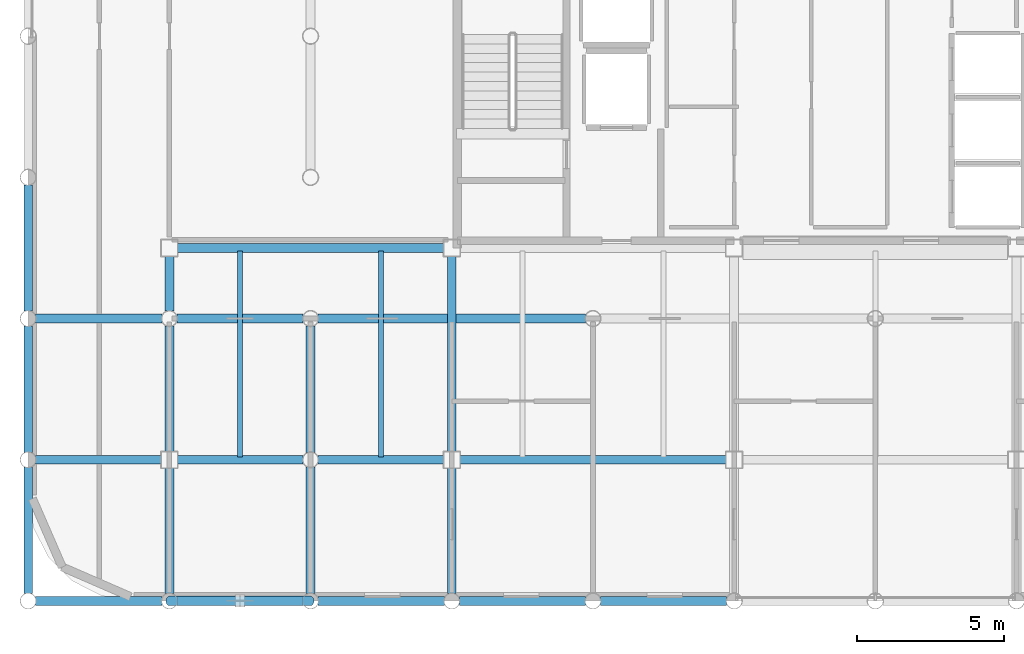
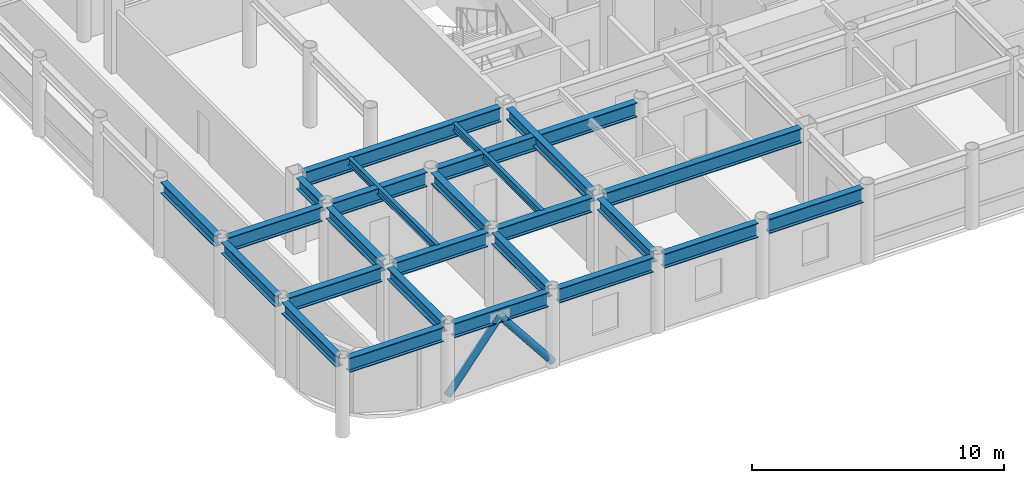
# One storey, part 3 of 23: 25 beams, 2 members.
"""IFC4 building model written with IfcOpenShell, lengths in metres."""

from ifc_helpers import new_model, si_unit, direction, frame, origin, origin_2d, place, context, subcontext, project, spatial, hollow_circle, i_section, extrude, material, material_profile, profile_set, type_object, element, save


model = new_model("IFC4")

# Units and contexts
model_context = context("Model", 3, precision=1e-05, world=origin(), true_north=direction((0.0, 1.0)))
body_context = subcontext(model_context, "Body", "Model", "MODEL_VIEW")
ifc_project = project(units=[si_unit("LENGTHUNIT", "METRE"), si_unit("AREAUNIT", "SQUARE_METRE"), si_unit("VOLUMEUNIT", "CUBIC_METRE"), si_unit("PLANEANGLEUNIT", "RADIAN"), si_unit("MASSUNIT", "GRAM", prefix="KILO")], contexts=[model_context])

# Site, building, storey
site_placement = place(None, origin())
site = spatial("IfcSite", under=ifc_project, at=site_placement, CompositionType="ELEMENT")
building_placement = place(site_placement, origin())
building = spatial("IfcBuilding", under=site, at=building_placement, Name="Kallvorn Hotel Tower", CompositionType="ELEMENT")
storey_placement = place(building_placement, frame((0.0, 0.0, 237.699951171875)))
storey = spatial("IfcBuildingStorey", under=building, at=storey_placement, Name="L59", CompositionType="ELEMENT", Elevation=237.699951171875)

# Beams
ifc_material_1 = material(Name="Structural steel S355JR", Category="steel")
ifc_material_profile_1 = material_profile(ifc_material_1, i_section(OverallWidth=0.300048828125, OverallDepth=0.550048828125, WebThickness=0.014892578125, FlangeThickness=0.029052734375, at=origin_2d()), Name="HE 550 B")
ifc_profile_set_1 = profile_set([ifc_material_profile_1], Name="Structural steel S355JR")
beam_type_1 = type_object("IfcBeamType", Name="BM_HE550B", PredefinedType="SPANDREL", material=ifc_profile_set_1)
for number, where, z_axis, x_axis, name in (
    (1, (-28.800048828125, -18.945556640625, 3.39501953125), (0.0, 1.0, 0.0), (-1.0, 0.0, 0.0), "L60 Primary Y-Girder 73"),
    (2, (-28.800048828125, -14.1455078125, 3.39501953125), (0.0, 1.0, 0.0), (-1.0, 0.0, 0.0), "L60 Primary Y-Girder 74"),
    (3, (-28.800048828125, -9.345458984375, 3.39501953125), (0.0, 1.0, 0.0), (-1.0, 0.0, 0.0), "L60 Primary Y-Girder 75"),
):
    element("IfcBeam", number, at=place(storey_placement, frame(where, z_axis=z_axis, x_axis=x_axis)), inside=storey, type_object=beam_type_1, Name=name, PredefinedType="SPANDREL", context=body_context, shape_type="SweptSolid", body=[
        extrude(i_section(OverallWidth=0.300048828125, OverallDepth=0.550048828125, WebThickness=0.014892578125, FlangeThickness=0.029052734375, at=origin_2d()), origin(), (0.0, 0.0, 1.0), 4.291015625),
    ])
for number, where, z_axis, x_axis, name in (
    (4, (-24.0, -18.945556640625, 3.39501953125), (0.0, 1.0, 0.0), (-1.0, 0.0, 0.0), "L60 Primary Y-Girder 81"),
    (5, (-24.0, -14.125, 3.39501953125), (0.0, 1.0, 0.0), (-1.0, 0.0, 0.0), "L60 Primary Y-Girder 82"),
):
    element("IfcBeam", number, at=place(storey_placement, frame(where, z_axis=z_axis, x_axis=x_axis)), inside=storey, type_object=beam_type_1, Name=name, PredefinedType="SPANDREL", context=body_context, shape_type="SweptSolid", body=[
        extrude(i_section(OverallWidth=0.300048828125, OverallDepth=0.550048828125, WebThickness=0.014892578125, FlangeThickness=0.029052734375, at=origin_2d()), origin(), (0.0, 0.0, 1.0), 4.2705078125),
    ])
beam_1_placement = place(storey_placement, frame((-24.0, -9.345458984375, 3.39501953125), z_axis=(0.0, 1.0, 0.0), x_axis=(-1.0, 0.0, 0.0)))
element("IfcBeam", 6, at=beam_1_placement, inside=storey, type_object=beam_type_1, Name="L60 Primary Y-Girder 83", PredefinedType="SPANDREL", context=body_context, shape_type="SweptSolid", body=[
    extrude(i_section(OverallWidth=0.300048828125, OverallDepth=0.550048828125, WebThickness=0.014892578125, FlangeThickness=0.029052734375, at=origin_2d()), origin(), (0.0, 0.0, 1.0), 1.870361328125),
])
for number, where, z_axis, x_axis, name in (
    (7, (-19.199951171875, -18.945556640625, 3.39501953125), (0.0, 1.0, 0.0), (-1.0, 0.0, 0.0), "L60 Primary Y-Girder 88"),
    (8, (-19.199951171875, -14.1455078125, 3.39501953125), (0.0, 1.0, 0.0), (-1.0, 0.0, 0.0), "L60 Primary Y-Girder 89"),
):
    element("IfcBeam", number, at=place(storey_placement, frame(where, z_axis=z_axis, x_axis=x_axis)), inside=storey, type_object=beam_type_1, Name=name, PredefinedType="SPANDREL", context=body_context, shape_type="SweptSolid", body=[
        extrude(i_section(OverallWidth=0.300048828125, OverallDepth=0.550048828125, WebThickness=0.014892578125, FlangeThickness=0.029052734375, at=origin_2d()), origin(), (0.0, 0.0, 1.0), 4.291015625),
    ])
beam_2_placement = place(storey_placement, frame((-14.39990234375, -18.945556640625, 3.39501953125), z_axis=(0.0, 1.0, 0.0), x_axis=(-1.0, 0.0, 0.0)))
element("IfcBeam", 9, at=beam_2_placement, inside=storey, type_object=beam_type_1, Name="L60 Primary Y-Girder 97", PredefinedType="SPANDREL", context=body_context, shape_type="SweptSolid", body=[
    extrude(i_section(OverallWidth=0.300048828125, OverallDepth=0.550048828125, WebThickness=0.014892578125, FlangeThickness=0.029052734375, at=origin_2d()), origin(), (0.0, 0.0, 1.0), 4.2705078125),
])
beam_3_placement = place(storey_placement, frame((-14.39990234375, -14.125, 3.39501953125), z_axis=(0.0, 1.0, 0.0), x_axis=(-1.0, 0.0, 0.0)))
element("IfcBeam", 10, at=beam_3_placement, inside=storey, type_object=beam_type_1, Name="L60 Primary Y-Girder 98", PredefinedType="SPANDREL", context=body_context, shape_type="SweptSolid", body=[
    extrude(i_section(OverallWidth=0.300048828125, OverallDepth=0.550048828125, WebThickness=0.014892578125, FlangeThickness=0.029052734375, at=origin_2d()), origin(), (0.0, 0.0, 1.0), 6.64990234375),
])
ifc_material_2 = material(Name="Structural steel S355JR", Category="steel")
ifc_material_profile_2 = material_profile(ifc_material_2, i_section(OverallWidth=0.300048828125, OverallDepth=0.699951171875, WebThickness=0.01708984375, FlangeThickness=0.031982421875, at=origin_2d()), Name="HE 700 B")
ifc_profile_set_2 = profile_set([ifc_material_profile_2], Name="Structural steel S355JR")
beam_type_2 = type_object("IfcBeamType", Name="BM_HE700B", PredefinedType="BEAM", material=ifc_profile_set_2)
for number, where, z_axis, x_axis, name in (
    (11, (-28.54541015625, -19.199951171875, 3.320068359375), (1.0, 0.0, 0.0), (0.0, 1.0, 0.0), "L60 Primary X-Girder 01"),
    (12, (-23.74560546875, -19.199951171875, 3.320068359375), (1.0, 0.0, 0.0), (0.0, 1.0, 0.0), "L60 Primary X-Girder 02"),
    (13, (-18.945556640625, -19.199951171875, 3.320068359375), (1.0, 0.0, 0.0), (0.0, 1.0, 0.0), "L60 Primary X-Girder 03"),
    (14, (-14.1455078125, -19.199951171875, 3.320068359375), (1.0, 0.0, 0.0), (0.0, 1.0, 0.0), "L60 Primary X-Girder 04"),
    (15, (-9.345458984375, -19.199951171875, 3.320068359375), (1.0, 0.0, 0.0), (0.0, 1.0, 0.0), "L60 Primary X-Girder 05"),
):
    element("IfcBeam", number, at=place(storey_placement, frame(where, z_axis=z_axis, x_axis=x_axis)), inside=storey, type_object=beam_type_2, Name=name, PredefinedType="BEAM", context=body_context, shape_type="SweptSolid", body=[
        extrude(i_section(OverallWidth=0.300048828125, OverallDepth=0.699951171875, WebThickness=0.01708984375, FlangeThickness=0.031982421875, at=origin_2d()), origin(), (0.0, 0.0, 1.0), 4.291015625),
    ])
for number, where, z_axis, x_axis, name in (
    (16, (-28.54541015625, -14.39990234375, 3.320068359375), (1.0, 0.0, 0.0), (0.0, 1.0, 0.0), "L60 Primary X-Girder 13"),
    (17, (-23.72509765625, -14.39990234375, 3.320068359375), (1.0, 0.0, 0.0), (0.0, 1.0, 0.0), "L60 Primary X-Girder 14"),
    (18, (-18.945556640625, -14.39990234375, 3.320068359375), (1.0, 0.0, 0.0), (0.0, 1.0, 0.0), "L60 Primary X-Girder 15"),
):
    element("IfcBeam", number, at=place(storey_placement, frame(where, z_axis=z_axis, x_axis=x_axis)), inside=storey, type_object=beam_type_2, Name=name, PredefinedType="BEAM", context=body_context, shape_type="SweptSolid", body=[
        extrude(i_section(OverallWidth=0.300048828125, OverallDepth=0.699951171875, WebThickness=0.01708984375, FlangeThickness=0.031982421875, at=origin_2d()), origin(), (0.0, 0.0, 1.0), 4.2705078125),
    ])
beam_4_placement = place(storey_placement, frame((-14.125, -14.39990234375, 3.320068359375), z_axis=(1.0, 0.0, 0.0), x_axis=(0.0, 1.0, 0.0)))
element("IfcBeam", 19, at=beam_4_placement, inside=storey, type_object=beam_type_2, Name="L60 Primary X-Girder 16", PredefinedType="BEAM", context=body_context, shape_type="SweptSolid", body=[
    extrude(i_section(OverallWidth=0.300048828125, OverallDepth=0.699951171875, WebThickness=0.01708984375, FlangeThickness=0.031982421875, at=origin_2d()), origin(), (0.0, 0.0, 1.0), 9.050048828125),
])
for number, where, z_axis, x_axis, name in (
    (20, (-28.54541015625, -9.60009765625, 3.320068359375), (1.0, 0.0, 0.0), (0.0, 1.0, 0.0), "L60 Primary X-Girder 23"),
    (21, (-23.74560546875, -9.60009765625, 3.320068359375), (1.0, 0.0, 0.0), (0.0, 1.0, 0.0), "L60 Primary X-Girder 24"),
):
    element("IfcBeam", number, at=place(storey_placement, frame(where, z_axis=z_axis, x_axis=x_axis)), inside=storey, type_object=beam_type_2, Name=name, PredefinedType="BEAM", context=body_context, shape_type="SweptSolid", body=[
        extrude(i_section(OverallWidth=0.300048828125, OverallDepth=0.699951171875, WebThickness=0.01708984375, FlangeThickness=0.031982421875, at=origin_2d()), origin(), (0.0, 0.0, 1.0), 4.291015625),
    ])
beam_5_placement = place(storey_placement, frame((-18.945556640625, -9.60009765625, 3.320068359375), z_axis=(1.0, 0.0, 0.0), x_axis=(0.0, 1.0, 0.0)))
element("IfcBeam", 22, at=beam_5_placement, inside=storey, type_object=beam_type_2, Name="L60 Primary X-Girder 25", PredefinedType="BEAM", context=body_context, shape_type="SweptSolid", body=[
    extrude(i_section(OverallWidth=0.300048828125, OverallDepth=0.699951171875, WebThickness=0.01708984375, FlangeThickness=0.031982421875, at=origin_2d()), origin(), (0.0, 0.0, 1.0), 9.091064453125),
])
beam_6_placement = place(storey_placement, frame((-23.72509765625, -7.199951171875, 3.320068359375), z_axis=(1.0, 0.0, 0.0), x_axis=(0.0, 1.0, 0.0)))
element("IfcBeam", 23, at=beam_6_placement, inside=storey, type_object=beam_type_2, Name="L60 Primary X-Girder 32", PredefinedType="BEAM", context=body_context, shape_type="SweptSolid", body=[
    extrude(i_section(OverallWidth=0.300048828125, OverallDepth=0.699951171875, WebThickness=0.01708984375, FlangeThickness=0.031982421875, at=origin_2d()), origin(), (0.0, 0.0, 1.0), 9.050048828125),
])
ifc_material_3 = material(Name="Structural steel S355JR", Category="steel")
ifc_material_profile_3 = material_profile(ifc_material_3, i_section(OverallWidth=0.169921875, OverallDepth=0.360107421875, WebThickness=0.008056640625, FlangeThickness=0.0126953125, at=origin_2d()), Name="IPE 360")
ifc_profile_set_3 = profile_set([ifc_material_profile_3], Name="Structural steel S355JR")
beam_type_3 = type_object("IfcBeamType", Name="BM_IPE360", PredefinedType="JOIST", material=ifc_profile_set_3)
for number, where, z_axis, x_axis, name in (
    (24, (-21.60009765625, -14.300048828125, 3.489990234375), (0.0, 1.0, 0.0), (-1.0, 0.0, 0.0), "L60 Secondary Composite Joist 192"),
    (25, (-16.800048828125, -14.300048828125, 3.489990234375), (0.0, 1.0, 0.0), (-1.0, 0.0, 0.0), "L60 Secondary Composite Joist 194"),
):
    element("IfcBeam", number, at=place(storey_placement, frame(where, z_axis=z_axis, x_axis=x_axis)), inside=storey, type_object=beam_type_3, Name=name, PredefinedType="JOIST", context=body_context, shape_type="SweptSolid", body=[
        extrude(i_section(OverallWidth=0.169921875, OverallDepth=0.360107421875, WebThickness=0.008056640625, FlangeThickness=0.0126953125, at=origin_2d()), origin(), (0.0, 0.0, 1.0), 7.0),
    ])

# Members
ifc_material_4 = material(Name="Structural steel S355J2H", Category="steel")
ifc_material_profile_4 = material_profile(ifc_material_4, hollow_circle(Radius=0.161865234375, WallThickness=0.012451171875, at=origin_2d()), Name="CHS 323.9x12.5")
ifc_profile_set_4 = profile_set([ifc_material_profile_4], Name="Structural steel S355J2H")
member_type = type_object("IfcMemberType", Name="MBR_EXO_CHS323", PredefinedType="BRACE", material=ifc_profile_set_4)
for number, where, z_axis, x_axis, name in (
    (26, (-23.987548828125, -19.199951171875, 0.19580078125), (0.620928510901, 0.0, 0.783867198159), (0.0, 1.0, 0.0), "L59 Exoskeleton K-Brace S1A"),
    (27, (-19.21240234375, -19.199951171875, 0.19580078125), (-0.620928510901, 0.0, 0.783867198159), (0.0, -1.0, 0.0), "L59 Exoskeleton K-Brace S1B"),
):
    element("IfcMember", number, at=place(storey_placement, frame(where, z_axis=z_axis, x_axis=x_axis)), inside=storey, type_object=member_type, Name=name, PredefinedType="BRACE", context=body_context, shape_type="SweptSolid", body=[
        extrude(hollow_circle(Radius=0.161865234375, WallThickness=0.012451171875, at=origin_2d()), origin(), (0.0, 0.0, 1.0), 3.8251953125),
    ])

save(model, "model.ifc")
